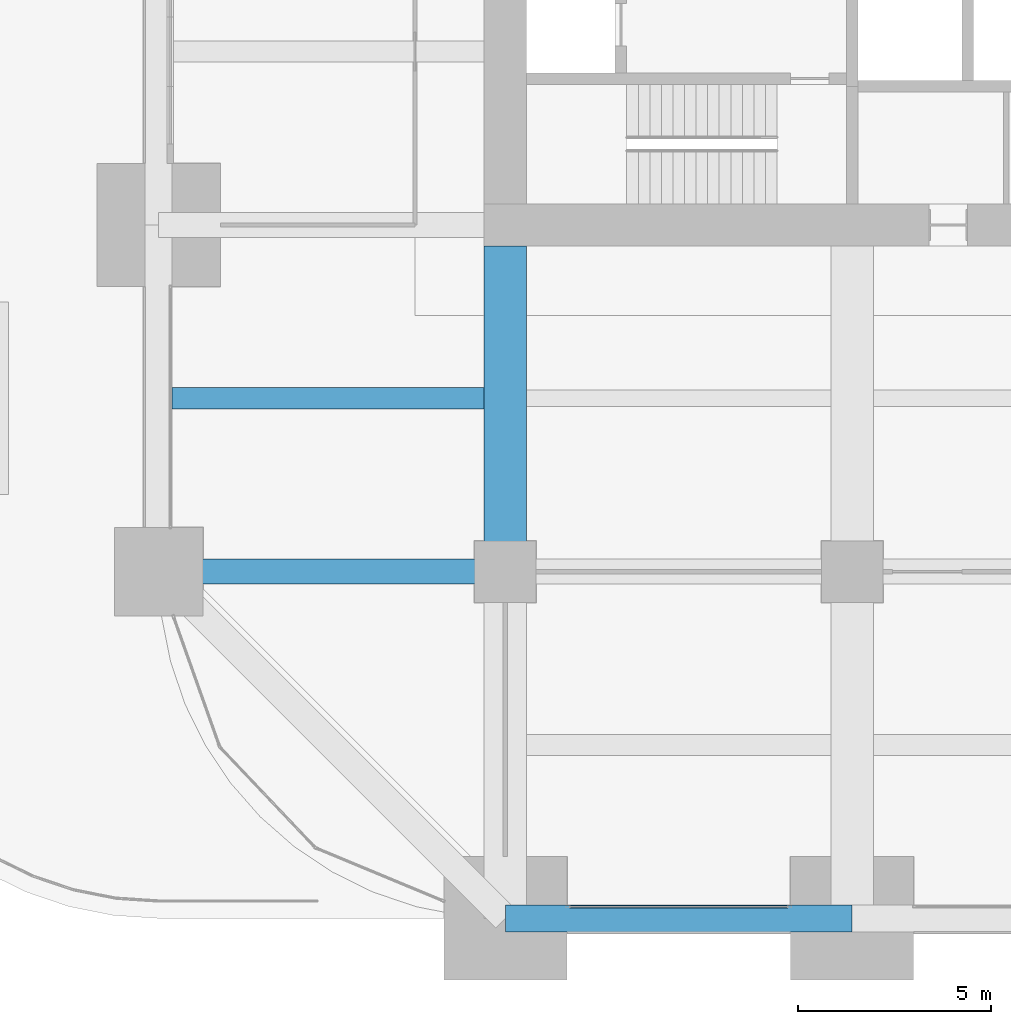
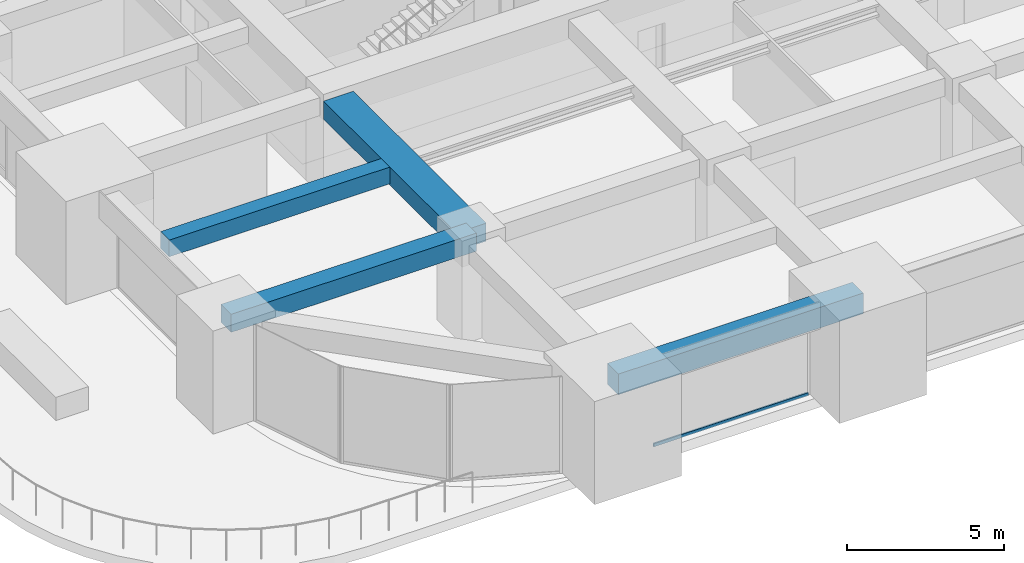
# One storey, part 6 of 40: 4 beams, 1 member, 1 element without a shape of its own.
"""IFC4 building model written with IfcOpenShell, lengths in metres."""

import ifcopenshell
import ifcopenshell.guid

model = None  # the IFC model being written
_history = None  # IfcOwnerHistory: only IFC2X3 demands one
_inside = {}  # id of a spatial element -> (the spatial element, [elements in it])
_under = {}  # id of a project, library or spatial element -> (it, [spatial elements below it])
_declared = {}  # id of a project -> (the project, [libraries it declares])
_typed = {}  # id of a type object -> (the type object, [elements of that type])
_made_of = {}  # id of a material, layer set ... -> (it, [elements and type objects made of it])


def new_model(schema):
    """Start an empty IFC model of exactly this schema.

    Asked for "IFC4X3", IfcOpenShell would pick the latest addendum, in which some entities
    have other attributes; the version numbers below select the first issue.
    IFC2X3 requires an IfcOwnerHistory on every rooted entity: one is made here for all.
    """
    global model, _history
    if schema == "IFC4X3":
        model = ifcopenshell.file(schema_version=(4, 3, 0, 0))
    else:
        model = ifcopenshell.file(schema=schema)
    _inside.clear()
    _under.clear()
    _declared.clear()
    _typed.clear()
    _made_of.clear()
    _history = None
    if model.schema == "IFC2X3":
        org = make("IfcOrganization", Name="unknown")
        user = make(
            "IfcPersonAndOrganization",
            ThePerson=make("IfcPerson", FamilyName="unknown"),
            TheOrganization=org,
        )
        app = make(
            "IfcApplication",
            ApplicationDeveloper=org,
            Version="unknown",
            ApplicationFullName="unknown",
            ApplicationIdentifier="unknown",
        )
        _history = make(
            "IfcOwnerHistory",
            OwningUser=user,
            OwningApplication=app,
            ChangeAction="ADDED",
            CreationDate=0,
        )
    return model


def make(cls, **values):
    """One entity of the class cls with the attributes given. An attribute that is None is left unset."""
    return model.create_entity(
        cls, **{name: value for name, value in values.items() if value is not None}
    )


def rooted(cls, **values):
    """An entity with a GlobalId (a new one), such as an element, a storey or a relation."""
    return make(cls, GlobalId=ifcopenshell.guid.new(), OwnerHistory=_history, **values)


def si_unit(unit_type, name, prefix=None):
    """IfcSIUnit, for example si_unit("LENGTHUNIT", "METRE", prefix="MILLI")."""
    return make("IfcSIUnit", UnitType=unit_type, Prefix=prefix, Name=name)


def assignment(units):
    """IfcUnitAssignment: the units of a project."""
    return None if units is None else make("IfcUnitAssignment", Units=units)


def point(xyz):
    """IfcCartesianPoint."""
    return None if xyz is None else make("IfcCartesianPoint", Coordinates=xyz)


def direction(xyz):
    """IfcDirection."""
    return None if xyz is None else make("IfcDirection", DirectionRatios=xyz)


def frame(location, z_axis=None, x_axis=None):
    """IfcAxis2Placement3D, a coordinate frame: its origin and axes. An axis left out is left unset."""
    return make(
        "IfcAxis2Placement3D",
        Location=point(location),
        Axis=direction(z_axis),
        RefDirection=direction(x_axis),
    )


def frame_2d(location, x_axis=None):
    """IfcAxis2Placement2D, a coordinate frame in the plane: its origin and x axis."""
    return make(
        "IfcAxis2Placement2D", Location=point(location), RefDirection=direction(x_axis)
    )


def origin():
    """The frame at (0, 0, 0) with its axes left unset."""
    return frame((0.0, 0.0, 0.0))


def origin_2d():
    """The frame at (0, 0) in the plane with its x axis left unset."""
    return frame_2d((0.0, 0.0))


def place(relative_to, where):
    """IfcLocalPlacement: puts the frame where relative to a parent placement (None: the world)."""
    return make(
        "IfcLocalPlacement", PlacementRelTo=relative_to, RelativePlacement=where
    )


def context(
    kind, dimensions, precision=None, world=None, true_north=None, identifier=None
):
    """IfcGeometricRepresentationContext, for example the 3D "Model" context."""
    return make(
        "IfcGeometricRepresentationContext",
        ContextIdentifier=identifier,
        ContextType=kind,
        CoordinateSpaceDimension=dimensions,
        Precision=precision,
        WorldCoordinateSystem=world,
        TrueNorth=true_north,
    )


def subcontext(parent, identifier, kind, view, scale=None):
    """IfcGeometricRepresentationSubContext, for example "Body" below "Model"."""
    return make(
        "IfcGeometricRepresentationSubContext",
        ContextIdentifier=identifier,
        ContextType=kind,
        ParentContext=parent,
        TargetScale=scale,
        TargetView=view,
    )


def project(units=None, contexts=None):
    """IfcProject with its units and contexts."""
    return rooted(
        "IfcProject",
        Name="project",
        RepresentationContexts=contexts,
        UnitsInContext=assignment(units),
    )


def spatial(cls, under=None, at=None, **own):
    """A site, building, storey or space (cls), placed at a placement, below another one or the project."""
    s = rooted(cls, ObjectPlacement=at, **own)
    if under is not None:
        _under.setdefault(under.id(), (under, []))[1].append(s)
    return s


def profile(cls, at=None, kind="AREA", **sizes):
    """A parametric profile (cls). Its sizes go by their IFC names, for example OverallWidth=200.0."""
    return make(cls, ProfileType=kind, Position=at, **sizes)


def rectangle(**sizes):
    """IfcRectangleProfileDef."""
    return profile("IfcRectangleProfileDef", **sizes)


def hollow_rectangle(**sizes):
    """IfcRectangleHollowProfileDef."""
    return profile("IfcRectangleHollowProfileDef", **sizes)


def extrude(swept, where, along, depth):
    """IfcExtrudedAreaSolid: the profile swept, set in the frame where, extruded along a direction by depth."""
    return make(
        "IfcExtrudedAreaSolid",
        SweptArea=swept,
        Position=where,
        ExtrudedDirection=direction(along),
        Depth=depth,
    )


def shape(context_of_items, identifier, shape_type, items):
    """IfcShapeRepresentation: the items that make up one representation, for example the "Body"."""
    return make(
        "IfcShapeRepresentation",
        ContextOfItems=context_of_items,
        RepresentationIdentifier=identifier,
        RepresentationType=shape_type,
        Items=items,
    )


def material(Name=None, Category=None):
    """IfcMaterial."""
    return make("IfcMaterial", Name=Name, Category=Category)


def material_profile(
    of_material, cross_section, Name=None, Category=None, Priority=None
):
    """IfcMaterialProfile: a cross section and its material."""
    return make(
        "IfcMaterialProfile",
        Name=Name,
        Material=of_material,
        Profile=cross_section,
        Priority=Priority,
        Category=Category,
    )


def profile_set(profiles, Name=None, composite=None):
    """IfcMaterialProfileSet."""
    return make(
        "IfcMaterialProfileSet",
        Name=Name,
        MaterialProfiles=profiles,
        CompositeProfile=composite,
    )


def made_of(thing, what):
    """Note that an element or type object is made of a material, layer set ...; save() writes the relation."""
    if what is not None:
        _made_of.setdefault(what.id(), (what, []))[1].append(thing)
    return thing


def type_object(cls, material=None, **own):
    """A type object (cls), such as IfcWallType, which elements share."""
    return made_of(rooted(cls, **own), material)


def element(
    cls,
    number,
    at=None,
    inside=None,
    cuts=None,
    type_object=None,
    material=None,
    context=None,
    identifier="Body",
    shape_type=None,
    held_by="IfcProductDefinitionShape",
    body=None,
    shapes=None,
    **own,
):
    """One element of the class cls, such as IfcWall. Its Tag is "e" and its number.

    at: its placement. inside: the storey or other place that contains it. cuts: it is an
    opening in that element (IfcRelVoidsElement). A single representation is given by context,
    identifier, shape_type and body (its items); several are given by shapes. held_by: the class
    of the entity that holds the representations. save() writes the other relations.
    """
    e = rooted(cls, Tag="e%d" % number, ObjectPlacement=at, **own)
    if body is not None:
        shapes = [shape(context, identifier, shape_type, body)]
    if shapes is not None:
        e.Representation = make(held_by, Representations=shapes)
    if inside is not None:
        _inside.setdefault(inside.id(), (inside, []))[1].append(e)
    if cuts is not None:
        rooted(
            "IfcRelVoidsElement", RelatingBuildingElement=cuts, RelatedOpeningElement=e
        )
    if type_object is not None:
        _typed.setdefault(type_object.id(), (type_object, []))[1].append(e)
    return made_of(e, material)


def aggregate(whole, parts):
    """IfcRelAggregates: a whole, such as a stair, and the parts it consists of."""
    return rooted("IfcRelAggregates", RelatingObject=whole, RelatedObjects=parts)


def save(model, path):
    """Write the relations noted so far, then the file.

    IfcRelAggregates (storeys below a building ...), IfcRelContainedInSpatialStructure (elements
    in a storey), IfcRelDefinesByType, IfcRelAssociatesMaterial and IfcRelDeclares: one each for
    every whole, place, type object, material and project.
    """
    for whole, parts in _under.values():
        aggregate(whole, parts)
    for where, things in _inside.values():
        rooted(
            "IfcRelContainedInSpatialStructure",
            RelatedElements=things,
            RelatingStructure=where,
        )
    for kind, things in _typed.values():
        rooted("IfcRelDefinesByType", RelatedObjects=things, RelatingType=kind)
    for what, things in _made_of.values():
        rooted("IfcRelAssociatesMaterial", RelatedObjects=things, RelatingMaterial=what)
    for by, libraries in _declared.values():
        rooted("IfcRelDeclares", RelatingContext=by, RelatedDefinitions=libraries)
    model.write(path)


model = new_model("IFC4")

# Units and contexts
model_context = context("Model", 3, precision=1e-05, world=origin(), true_north=direction((0.0, 1.0)))
body_context = subcontext(model_context, "Body", "Model", "MODEL_VIEW")
ifc_project = project(units=[si_unit("LENGTHUNIT", "METRE"), si_unit("AREAUNIT", "SQUARE_METRE"), si_unit("VOLUMEUNIT", "CUBIC_METRE"), si_unit("PLANEANGLEUNIT", "RADIAN"), si_unit("MASSUNIT", "GRAM", prefix="KILO")], contexts=[model_context])

# Site, building, storey
site_placement = place(None, origin())
site = spatial("IfcSite", under=ifc_project, at=site_placement, CompositionType="ELEMENT")
building_placement = place(site_placement, origin())
building = spatial("IfcBuilding", under=site, at=building_placement, Name="Zorevar Civic Tower", CompositionType="ELEMENT")
storey_placement = place(building_placement, frame((0.0, 0.0, 239.39990234375)))
storey = spatial("IfcBuildingStorey", under=building, at=storey_placement, Name="L58", CompositionType="ELEMENT", Elevation=239.39990234375)

# Beams
ifc_material_1 = material(Name="Concrete C50/60", Category="concrete")
ifc_material_profile_1 = material_profile(ifc_material_1, rectangle(XDim=1.10009765625, YDim=0.699951171875, at=origin_2d()), Name="RC 1100x700")
ifc_profile_set_1 = profile_set([ifc_material_profile_1], Name="Concrete C50/60")
beam_type_1 = type_object("IfcBeamType", Name="Beam RC 1100x700", PredefinedType="BEAM", material=ifc_profile_set_1)
beam_1_placement = place(storey_placement, frame((18.0, 9.0, 3.400146484375), z_axis=(0.0, 1.0, 0.0), x_axis=(-1.0, 0.0, 0.0)))
element("IfcBeam", 1, at=beam_1_placement, inside=storey, type_object=beam_type_1, Name="Girder L59", PredefinedType="BEAM", context=body_context, shape_type="SweptSolid", body=[
    extrude(rectangle(XDim=1.10009765625, YDim=0.699951171875, at=origin_2d()), origin(), (0.0, 0.0, 1.0), 8.449951171875),
])
ifc_material_2 = material(Name="Concrete C50/60", Category="concrete")
ifc_material_profile_2 = material_profile(ifc_material_2, rectangle(XDim=0.550048828125, YDim=0.64990234375, at=origin_2d()), Name="RC 550x650")
ifc_profile_set_2 = profile_set([ifc_material_profile_2], Name="Concrete C50/60")
beam_type_2 = type_object("IfcBeamType", Name="Beam RC 550x650", PredefinedType="BEAM", material=ifc_profile_set_2)
beam_2_placement = place(storey_placement, frame((9.35009765625, 13.5, 3.425048828125), z_axis=(1.0, 0.0, 0.0), x_axis=(0.0, 1.0, 0.0)))
element("IfcBeam", 2, at=beam_2_placement, inside=storey, type_object=beam_type_2, Name="Secondary beam L59", PredefinedType="BEAM", context=body_context, shape_type="SweptSolid", body=[
    extrude(rectangle(XDim=0.550048828125, YDim=0.64990234375, at=origin_2d()), origin(), (0.0, 0.0, 1.0), 8.099853515625),
])
ifc_material_3 = material(Name="Concrete C50/60", Category="concrete")
ifc_material_profile_3 = material_profile(ifc_material_3, rectangle(XDim=0.64990234375, YDim=0.699951171875, at=origin_2d()), Name="RC 650x700")
ifc_profile_set_3 = profile_set([ifc_material_profile_3], Name="Concrete C50/60")
beam_type_3 = type_object("IfcBeamType", Name="Beam RC 650x700", PredefinedType="BEAM", material=ifc_profile_set_3)
beam_3_placement = place(storey_placement, frame((9.0, 9.0, 3.400146484375), z_axis=(1.0, 0.0, 0.0), x_axis=(0.0, 1.0, 0.0)))
element("IfcBeam", 3, at=beam_3_placement, inside=storey, type_object=beam_type_3, Name="Girder L59", PredefinedType="BEAM", context=body_context, shape_type="SweptSolid", body=[
    extrude(rectangle(XDim=0.64990234375, YDim=0.699951171875, at=origin_2d()), origin(), (0.0, 0.0, 1.0), 9.0),
])

# Curtain wall, member
ifc_material_4 = material(Name="Dark grey solar-control glass in black aluminium frame", Category="aluminium")
curtain_wall_type = type_object("IfcCurtainWallType", Name="Curtain wall CW5 top zone", PredefinedType="NOTDEFINED", material=ifc_material_4)
curtain_wall_placement = place(storey_placement, origin())
curtain_wall = element("IfcCurtainWall", 4, at=curtain_wall_placement, inside=storey, type_object=curtain_wall_type, Name="CW5 L58", PredefinedType="NOTDEFINED")
ifc_material_5 = material(Name="Aluminium, black anodised", Category="aluminium")
ifc_material_profile_4 = material_profile(ifc_material_5, hollow_rectangle(XDim=0.06005859375, YDim=0.1201171875, WallThickness=0.0029296875, at=origin_2d()), Name="AL 120x60x3")
ifc_profile_set_4 = profile_set([ifc_material_profile_4], Name="Aluminium, black anodised")
member_type = type_object("IfcMemberType", Name="CW5 transom AL 120x60x3", PredefinedType="USERDEFINED", material=ifc_profile_set_4)
member_placement = place(storey_placement, frame((19.659912109375, 0.300048828125, 0.030029296875), z_axis=(1.0, 0.0, 0.0), x_axis=(0.0, 1.0, 0.0)))
member = element("IfcMember", 5, at=member_placement, type_object=member_type, Name="CW5 sill transom", ObjectType="TRANSOM", PredefinedType="USERDEFINED", context=body_context, shape_type="SweptSolid", body=[
    extrude(hollow_rectangle(XDim=0.06005859375, YDim=0.1201171875, WallThickness=0.0029296875, at=origin_2d()), origin(), (0.0, 0.0, 1.0), 5.68017578125),
])
aggregate(curtain_wall, [member])

# Beam
ifc_material_6 = material(Name="Concrete C50/60", Category="concrete")
ifc_material_profile_5 = material_profile(ifc_material_6, rectangle(XDim=0.699951171875, YDim=0.800048828125, at=origin_2d()), Name="RC 700x800")
ifc_profile_set_5 = profile_set([ifc_material_profile_5], Name="Concrete C50/60")
beam_type_4 = type_object("IfcBeamType", Name="Edge beam RC 700x800", PredefinedType="SPANDREL", material=ifc_profile_set_5)
beam_4_placement = place(storey_placement, frame((18.0, 0.0, 3.35009765625), z_axis=(1.0, 0.0, 0.0), x_axis=(0.0, 1.0, 0.0)))
element("IfcBeam", 6, at=beam_4_placement, inside=storey, type_object=beam_type_4, Name="Edge beam L59", PredefinedType="SPANDREL", context=body_context, shape_type="SweptSolid", body=[
    extrude(rectangle(XDim=0.699951171875, YDim=0.800048828125, at=origin_2d()), origin(), (0.0, 0.0, 1.0), 9.0),
])

save(model, "model.ifc")
